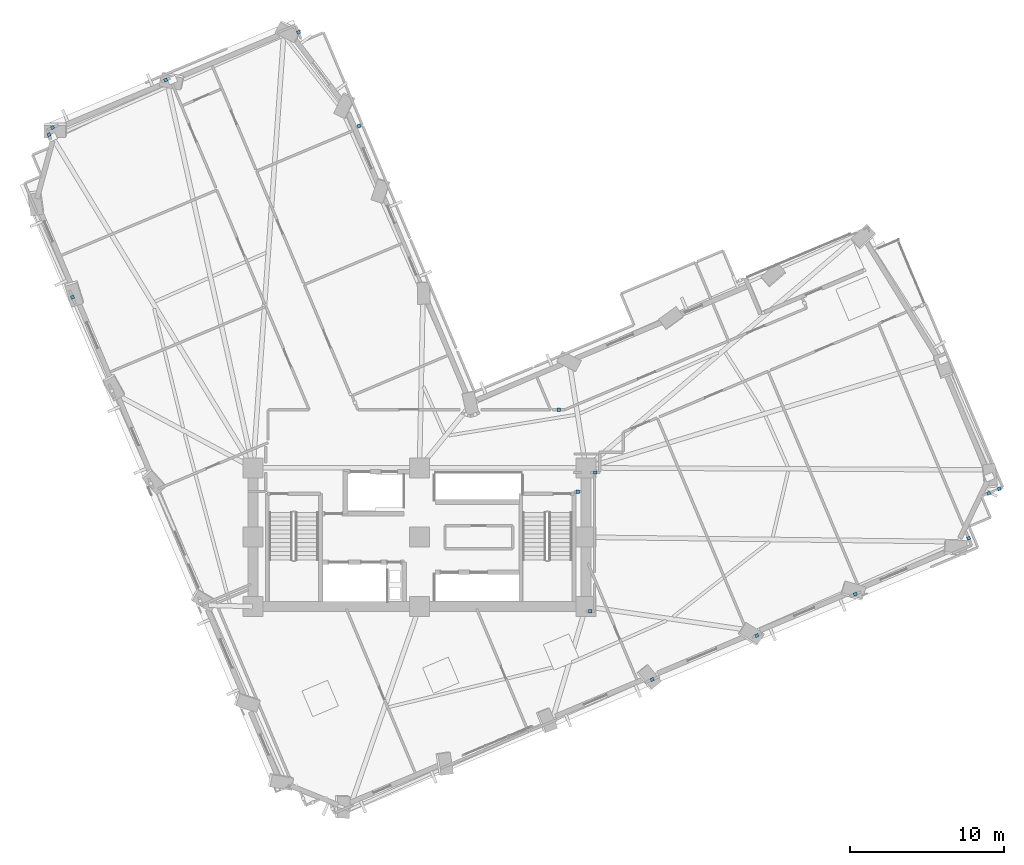
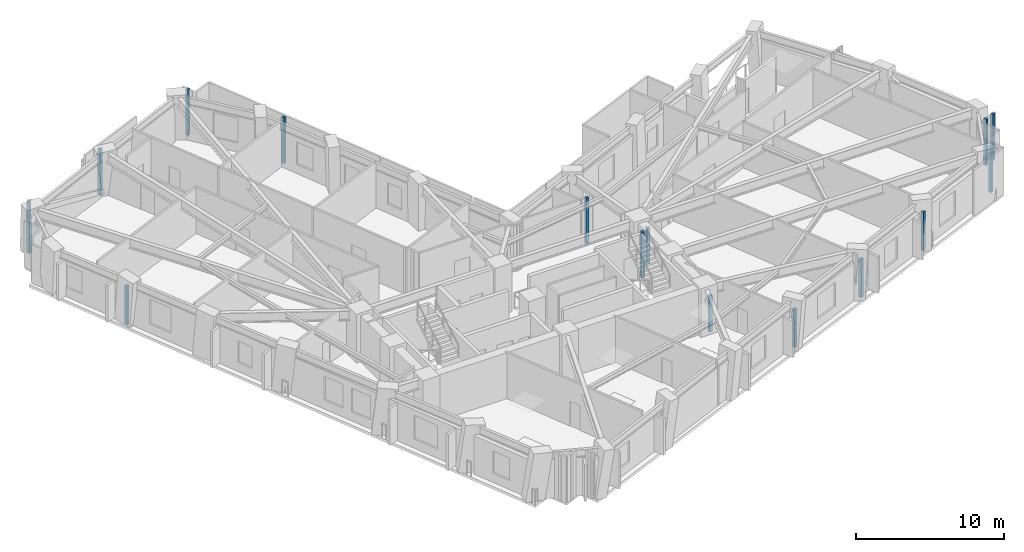
# One storey, part 8 of 18: 16 plates.
"""IFC4 building model written with IfcOpenShell, lengths in metres."""

from ifc_helpers import new_model, si_unit, direction, frame, origin, origin_2d, place, context, subcontext, project, spatial, rectangle, extrude, material, layer, layer_set, type_object, element, save


model = new_model("IFC4")

# Units and contexts
model_context = context("Model", 3, precision=1e-05, world=origin(), true_north=direction((0.0, 1.0)))
body_context = subcontext(model_context, "Body", "Model", "MODEL_VIEW")
ifc_project = project(units=[si_unit("LENGTHUNIT", "METRE"), si_unit("AREAUNIT", "SQUARE_METRE"), si_unit("VOLUMEUNIT", "CUBIC_METRE"), si_unit("PLANEANGLEUNIT", "RADIAN"), si_unit("MASSUNIT", "GRAM", prefix="KILO")], contexts=[model_context])

# Site, building, storey
site_placement = place(None, origin())
site = spatial("IfcSite", under=ifc_project, at=site_placement, CompositionType="ELEMENT")
building_placement = place(site_placement, origin())
building = spatial("IfcBuilding", under=site, at=building_placement, Name="Gaonmaruhae Medical Tower", CompositionType="ELEMENT")
storey_placement = place(building_placement, frame((0.0, 0.0, 120.39990234375)))
storey = spatial("IfcBuildingStorey", under=building, at=storey_placement, Name="L28", CompositionType="ELEMENT", Elevation=120.39990234375)

# Plates
ifc_material = material(Name="Anodised aluminium 6063-T6", Category="aluminium")
ifc_layer = layer(ifc_material, 0.011962890625)
ifc_layer_set = layer_set([ifc_layer], Name="Anodised aluminium 6063-T6")
plate_type = type_object("IfcPlateType", Name="PP-01 Interior Partition Corner Stiffener Plate", PredefinedType="SHEET", material=ifc_layer_set)
for number, where, z_axis, x_axis, name in (
    (1, (35.875, 7.5, 0.0), (0.0, 0.0, 1.0), (1.0, 0.0, 0.0), "L28 Partition Corner Stiffener Plate PLT-L28-JGP-PW016"),
    (2, (36.199951171875, 16.5, 0.0), (0.0, 0.0, 1.0), (1.0, 0.0, 0.0), "L28 Partition Corner Stiffener Plate PLT-L28-JGP-PW019"),
):
    element("IfcPlate", number, at=place(storey_placement, frame(where, z_axis=z_axis, x_axis=x_axis)), inside=storey, type_object=plate_type, Name=name, PredefinedType="SHEET", context=body_context, shape_type="SweptSolid", body=[
        extrude(rectangle(XDim=0.219970703125, YDim=0.219970703125, at=origin_2d()), origin(), (0.0, 0.0, 1.0), 2.965087890625),
    ])
plate_1_placement = place(storey_placement, frame((39.89990234375, 3.06298828125, 0.0), z_axis=(0.0, 0.0, 1.0), x_axis=(-0.92193753225, -0.387338594292, 0.0)))
element("IfcPlate", 3, at=plate_1_placement, inside=storey, type_object=plate_type, Name="L28 Partition Corner Stiffener Plate PLT-L28-JGP-PW026", PredefinedType="SHEET", context=body_context, shape_type="SweptSolid", body=[
    extrude(rectangle(XDim=0.219970703125, YDim=0.219970703125, at=origin_2d()), origin(), (0.0, 0.0, 1.0), 3.1650390625),
])
plate_2_placement = place(storey_placement, frame((35.074951171875, 15.260009765625, 0.0), z_axis=(0.0, 0.0, 1.0), x_axis=(-1.0, 0.0, 0.0)))
element("IfcPlate", 4, at=plate_2_placement, inside=storey, type_object=plate_type, Name="L28 Partition Corner Stiffener Plate PLT-L28-JGP-PW028", PredefinedType="SHEET", context=body_context, shape_type="SweptSolid", body=[
    extrude(rectangle(XDim=0.219970703125, YDim=0.219970703125, at=origin_2d()), origin(), (0.0, 0.0, 1.0), 3.780029296875),
])
for number, where, z_axis, x_axis, name in (
    (5, (53.080078125, 8.60302734375, 0.0), (0.0, 0.0, 1.0), (-0.921687207684, -0.387933874767, 0.0), "L28 Partition Corner Stiffener Plate PLT-L28-JGP-PW031"),
    (6, (46.6923828125, 5.91748046875, 0.0), (0.0, 0.0, 1.0), (-0.9221267115, -0.386888004385, 0.0), "L28 Partition Corner Stiffener Plate PLT-L28-JGP-PW032"),
):
    element("IfcPlate", number, at=place(storey_placement, frame(where, z_axis=z_axis, x_axis=x_axis)), inside=storey, type_object=plate_type, Name=name, PredefinedType="SHEET", context=body_context, shape_type="SweptSolid", body=[
        extrude(rectangle(XDim=0.219970703125, YDim=0.219970703125, at=origin_2d()), origin(), (0.0, 0.0, 1.0), 3.1650390625),
    ])
plate_3_placement = place(storey_placement, frame((60.431884765625, 12.2314453125, 0.0), z_axis=(0.0, 0.0, 1.0), x_axis=(0.387692564329, -0.921788736948, 0.0)))
element("IfcPlate", 7, at=plate_3_placement, inside=storey, type_object=plate_type, Name="L28 Partition Corner Stiffener Plate PLT-L28-JGP-PW035", PredefinedType="SHEET", context=body_context, shape_type="SweptSolid", body=[
    extrude(rectangle(XDim=0.219970703125, YDim=0.219970703125, at=origin_2d()), origin(), (0.0, 0.0, 1.0), 3.780029296875),
])
plate_4_placement = place(storey_placement, frame((2.281005859375, 27.875, 0.0), z_axis=(0.0, 0.0, 1.0), x_axis=(-0.387129403333, 0.922025392858, 0.0)))
element("IfcPlate", 8, at=plate_4_placement, inside=storey, type_object=plate_type, Name="L28 Partition Corner Stiffener Plate PLT-L28-JGP-PW051", PredefinedType="SHEET", context=body_context, shape_type="SweptSolid", body=[
    extrude(rectangle(XDim=0.219970703125, YDim=0.219970703125, at=origin_2d()), origin(), (0.0, 0.0, 1.0), 3.1650390625),
])
plate_5_placement = place(storey_placement, frame((0.755615234375, 38.419921875, 0.0), z_axis=(0.0, 0.0, 1.0), x_axis=(-0.387998219728, 0.921660122544, 0.0)))
element("IfcPlate", 9, at=plate_5_placement, inside=storey, type_object=plate_type, Name="L28 Partition Corner Stiffener Plate PLT-L28-JGP-PW053", PredefinedType="SHEET", context=body_context, shape_type="SweptSolid", body=[
    extrude(rectangle(XDim=0.219970703125, YDim=0.219970703125, at=origin_2d()), origin(), (0.0, 0.0, 1.0), 2.965087890625),
])
for number, where, z_axis, x_axis, name in (
    (10, (0.990478515625, 38.883544921875, 0.0), (0.0, 0.0, 1.0), (0.921991605934, 0.387209863753, 0.0), "L28 Partition Corner Stiffener Plate PLT-L28-JGP-PW054"),
    (11, (8.32861328125, 41.968505859375, 0.0), (0.0, 0.0, 1.0), (0.922113206, 0.386920192444, 0.0), "L28 Partition Corner Stiffener Plate PLT-L28-JGP-PW055"),
    (12, (33.8369140625, 20.580078125, 0.0), (0.0, 0.0, 1.0), (-1.0, 0.0, 0.0), "L28 Partition Corner Stiffener Plate PLT-L28-JGP-PW075"),
    (13, (20.87744140625, 38.98291015625, 0.0), (0.0, 0.0, 1.0), (-0.921531406788, -0.388303832459, 0.0), "L28 Partition Corner Stiffener Plate PLT-L28-JGP-PW088"),
    (14, (16.946533203125, 45.06201171875, 0.0), (0.0, 0.0, 1.0), (0.387708652519, -0.921781970296, 0.0), "L28 Partition Corner Stiffener Plate PLT-L28-JGP-PW091"),
    (15, (61.737060546875, 15.1494140625, 0.0), (0.0, 0.0, 1.0), (-0.921524629468, -0.388319916157, 0.0), "L28 Partition Corner Stiffener Plate PLT-L28-JGP-PW103"),
    (16, (62.42041015625, 15.4365234375, 0.0), (0.0, 0.0, 1.0), (-0.922106452828, -0.386936286297, 0.0), "L28 Partition Corner Stiffener Plate PLT-L28-JGP-PW107"),
):
    element("IfcPlate", number, at=place(storey_placement, frame(where, z_axis=z_axis, x_axis=x_axis)), inside=storey, type_object=plate_type, Name=name, PredefinedType="SHEET", context=body_context, shape_type="SweptSolid", body=[
        extrude(rectangle(XDim=0.219970703125, YDim=0.219970703125, at=origin_2d()), origin(), (0.0, 0.0, 1.0), 3.780029296875),
    ])

save(model, "model.ifc")
